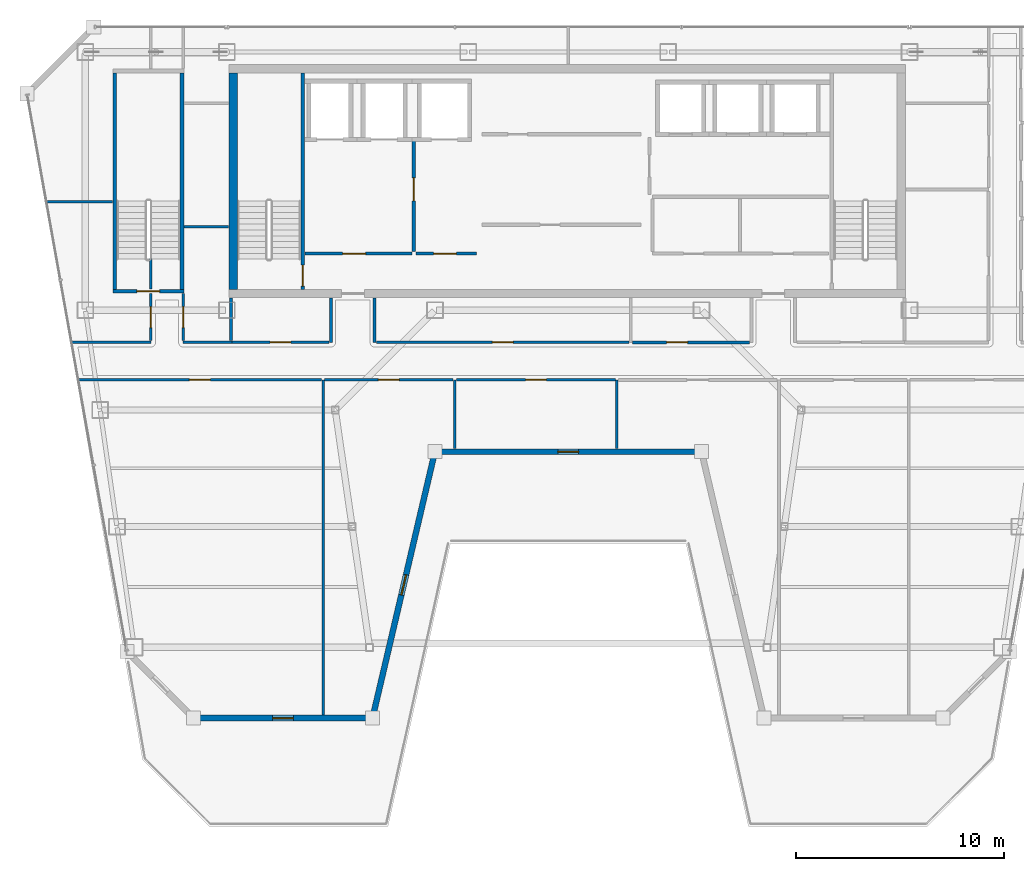
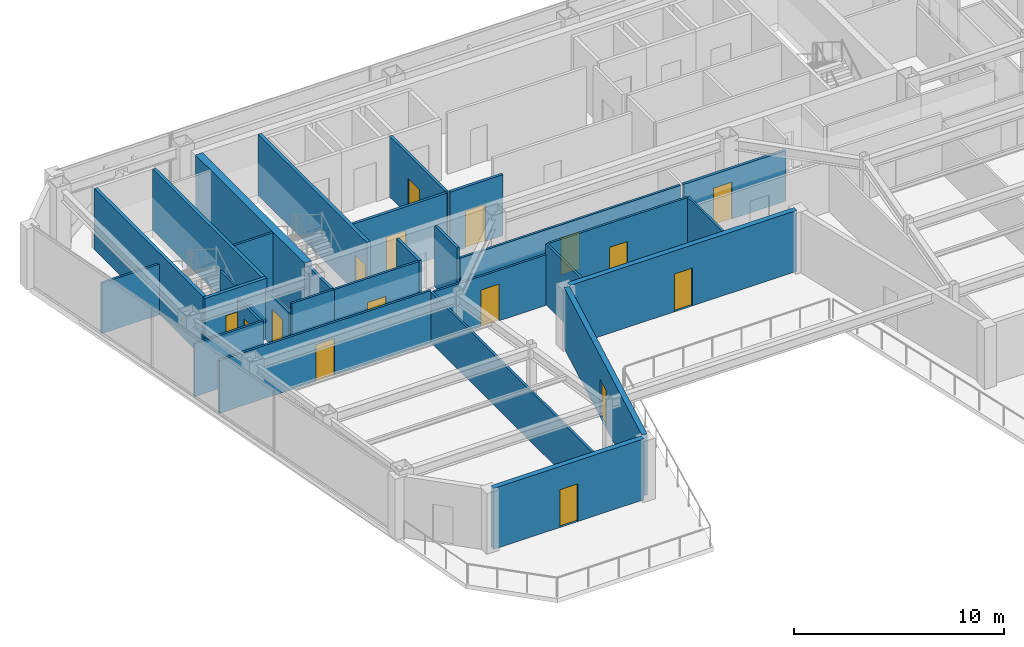
# One storey, part 20 of 28: 30 walls, 16 doors, 16 openings.
"""IFC4 building model written with IfcOpenShell, lengths in metres."""

from ifc_helpers import new_model, si_unit, direction, frame, frame_2d, origin, place, context, subcontext, project, spatial, rectangle, extrude, material, layer, layer_set, type_object, element, fill, save


model = new_model("IFC4")

# Units and contexts
model_context = context("Model", 3, precision=1e-05, world=origin(), true_north=direction((0.0, 1.0)))
body_context = subcontext(model_context, "Body", "Model", "MODEL_VIEW")
ifc_project = project(units=[si_unit("LENGTHUNIT", "METRE"), si_unit("AREAUNIT", "SQUARE_METRE"), si_unit("VOLUMEUNIT", "CUBIC_METRE"), si_unit("PLANEANGLEUNIT", "RADIAN"), si_unit("MASSUNIT", "GRAM", prefix="KILO")], contexts=[model_context])

# Site, building, storey
site_placement = place(None, origin())
site = spatial("IfcSite", under=ifc_project, at=site_placement, CompositionType="ELEMENT")
building_placement = place(site_placement, origin())
building = spatial("IfcBuilding", under=site, at=building_placement, Name="Saevonmaru Cultural Tower", CompositionType="ELEMENT")
storey_placement = place(building_placement, frame((0.0, 0.0, 253.39990234375)))
storey = spatial("IfcBuildingStorey", under=building, at=storey_placement, Name="L59", CompositionType="ELEMENT", Elevation=253.39990234375)

# Wall
ifc_material_1 = material(Name="Concrete C50/60", Category="concrete")
ifc_layer_1 = layer(ifc_material_1, 0.39990234375, Name="Concrete C50/60")
ifc_layer_set_1 = layer_set([ifc_layer_1], Name="Concrete C50/60")
wall_type_1 = type_object("IfcWallType", Name="WL-CORE-400", PredefinedType="SHEAR", material=ifc_layer_set_1)
wall_1_placement = place(storey_placement, frame((13.89990234375, 43.39990234375, 0.0), z_axis=(0.0, 0.0, 1.0), x_axis=(0.0, 1.0, 0.0)))
element("IfcWall", 1, at=wall_1_placement, inside=storey, type_object=wall_type_1, Name="L59 Tower RC core shear wall W", PredefinedType="SHEAR", context=body_context, shape_type="SweptSolid", body=[
    extrude(rectangle(XDim=10.400146484375, YDim=0.39990234375, at=frame_2d((5.2001953125, 0.0))), origin(), (0.0, 0.0, 1.0), 3.550048828125),
])

# Wall, opening, door
ifc_material_2 = material(Name="Gypsum Fireboard Partition", Category="gypsum")
ifc_layer_2 = layer(ifc_material_2, 0.14990234375, Name="Gypsum Fireboard Partition")
ifc_layer_set_2 = layer_set([ifc_layer_2], Name="Gypsum Fireboard Partition")
wall_type_2 = type_object("IfcWallType", Name="WL-CORE-PART-150", PredefinedType="PARTITIONING", material=ifc_layer_set_2)
wall_2_placement = place(storey_placement, frame((17.360107421875, 45.1201171875, 0.0), z_axis=(0.0, 0.0, 1.0), x_axis=(1.0, 0.0, 0.0)))
wall_2 = element("IfcWall", 2, at=wall_2_placement, inside=storey, type_object=wall_type_2, Name="L59 Firefighting Lift Lobby South Wall", PredefinedType="PARTITIONING", context=body_context, shape_type="SweptSolid", body=[
    extrude(rectangle(XDim=5.139892578125, YDim=0.14990234375, at=frame_2d((2.56982421875, 0.0))), origin(), (0.0, 0.0, 1.0), 3.550048828125),
])
opening_1_placement = place(wall_2_placement, frame((1.800048828125, 0.0, 0.0)))
opening_1 = element("IfcOpeningElement", 3, at=opening_1_placement, cuts=wall_2, Name="Opening FD-2", PredefinedType="OPENING", context=body_context, shape_type="SweptSolid", body=[
    extrude(rectangle(XDim=1.10009765625, YDim=2.14990234375, at=frame_2d((0.550048828125, 1.074951171875))), frame((0.0, 0.0849609375, 0.0), z_axis=(0.0, -1.0, 0.0), x_axis=(1.0, 0.0, 0.0)), (0.0, 0.0, 1.0), 0.169921875),
])
ifc_material_3 = material(Name="Satin Bronze Anodised Aluminium", Category="aluminium")
door_type_1 = type_object("IfcDoorType", Name="DR-FD60-1100", OperationType="SINGLE_SWING_LEFT", PredefinedType="DOOR", material=ifc_material_3)
door_1_placement = place(opening_1_placement, origin())
door_1 = element("IfcDoor", 4, at=door_1_placement, inside=storey, type_object=door_type_1, Name="L59 Firefighting Lift Lobby South Door", OperationType="SINGLE_SWING_LEFT", OverallHeight=2.14990234375, OverallWidth=1.10009765625, PredefinedType="DOOR", context=body_context, shape_type="SweptSolid", body=[
    extrude(rectangle(XDim=1.10009765625, YDim=2.14990234375, at=frame_2d((0.550048828125, 1.074951171875))), frame((0.0, 0.02490234375, 0.0), z_axis=(0.0, -1.0, 0.0), x_axis=(1.0, 0.0, 0.0)), (0.0, 0.0, 1.0), 0.050048828125),
])
fill(opening_1, door_1)

wall_3_placement = place(storey_placement, frame((22.580078125, 50.550048828125, 0.0), z_axis=(0.0, 0.0, 1.0), x_axis=(0.0, -1.0, 0.0)))
wall_3 = element("IfcWall", 5, at=wall_3_placement, inside=storey, type_object=wall_type_2, Name="L59 Firefighting Lift Lobby East Wall", PredefinedType="PARTITIONING", context=body_context, shape_type="SweptSolid", body=[
    extrude(rectangle(XDim=5.330078125, YDim=0.14990234375, at=frame_2d((2.6650390625, 0.0))), origin(), (0.0, 0.0, 1.0), 3.550048828125),
])
opening_2_placement = place(wall_3_placement, frame((1.800048828125, 0.0, 0.0)))
opening_2 = element("IfcOpeningElement", 6, at=opening_2_placement, cuts=wall_3, Name="Opening FD-2", PredefinedType="OPENING", context=body_context, shape_type="SweptSolid", body=[
    extrude(rectangle(XDim=1.10009765625, YDim=2.14990234375, at=frame_2d((0.550048828125, 1.074951171875))), frame((0.0, 0.0849609375, 0.0), z_axis=(0.0, -1.0, 0.0), x_axis=(1.0, 0.0, 0.0)), (0.0, 0.0, 1.0), 0.169921875),
])
door_2_placement = place(opening_2_placement, origin())
door_2 = element("IfcDoor", 7, at=door_2_placement, inside=storey, type_object=door_type_1, Name="L59 Firefighting Lift Lobby East Door", OperationType="SINGLE_SWING_LEFT", OverallHeight=2.14990234375, OverallWidth=1.10009765625, PredefinedType="DOOR", context=body_context, shape_type="SweptSolid", body=[
    extrude(rectangle(XDim=1.10009765625, YDim=2.14990234375, at=frame_2d((0.550048828125, 1.074951171875))), frame((0.0, 0.02490234375, 0.0), z_axis=(0.0, -1.0, 0.0), x_axis=(1.0, 0.0, 0.0)), (0.0, 0.0, 1.0), 0.050048828125),
])
fill(opening_2, door_2)

wall_4_placement = place(storey_placement, frame((22.679931640625, 45.1201171875, 0.0), z_axis=(0.0, 0.0, 1.0), x_axis=(1.0, 0.0, 0.0)))
wall_4 = element("IfcWall", 8, at=wall_4_placement, inside=storey, type_object=wall_type_2, Name="L59 Service Lift Vestibule Wall", PredefinedType="PARTITIONING", context=body_context, shape_type="SweptSolid", body=[
    extrude(rectangle(XDim=2.920166015625, YDim=0.14990234375, at=frame_2d((1.4599609375, 0.0))), origin(), (0.0, 0.0, 1.0), 3.550048828125),
])
opening_3_placement = place(wall_4_placement, frame((0.85009765625, 0.0, 0.0)))
opening_3 = element("IfcOpeningElement", 9, at=opening_3_placement, cuts=wall_4, Name="Opening FD-2", PredefinedType="OPENING", context=body_context, shape_type="SweptSolid", body=[
    extrude(rectangle(XDim=1.10009765625, YDim=2.14990234375, at=frame_2d((0.550048828125, 1.074951171875))), frame((0.0, 0.0849609375, 0.0), z_axis=(0.0, -1.0, 0.0), x_axis=(1.0, 0.0, 0.0)), (0.0, 0.0, 1.0), 0.169921875),
])
door_3_placement = place(opening_3_placement, origin())
door_3 = element("IfcDoor", 10, at=door_3_placement, inside=storey, type_object=door_type_1, Name="L59 Service Lift Vestibule Door", OperationType="SINGLE_SWING_LEFT", OverallHeight=2.14990234375, OverallWidth=1.10009765625, PredefinedType="DOOR", context=body_context, shape_type="SweptSolid", body=[
    extrude(rectangle(XDim=1.10009765625, YDim=2.14990234375, at=frame_2d((0.550048828125, 1.074951171875))), frame((0.0, 0.02490234375, 0.0), z_axis=(0.0, -1.0, 0.0), x_axis=(1.0, 0.0, 0.0)), (0.0, 0.0, 1.0), 0.050048828125),
])
fill(opening_3, door_3)

ifc_material_4 = material(Name="Granite-Clad Precast Concrete C40/50", Category="masonry")
ifc_layer_3 = layer(ifc_material_4, 0.280029296875, Name="Granite-Clad Precast Concrete C40/50")
ifc_layer_set_3 = layer_set([ifc_layer_3], Name="Granite-Clad Precast Concrete C40/50")
wall_type_3 = type_object("IfcWallType", Name="WL-EXT-SPANDREL-280", PredefinedType="STANDARD", material=ifc_layer_set_3)
wall_5_placement = place(storey_placement, frame((12.155517578125, 22.800048828125, 0.0), z_axis=(0.0, 0.0, 1.0), x_axis=(1.0, 0.0, 0.0)))
wall_5 = element("IfcWall", 11, at=wall_5_placement, inside=storey, type_object=wall_type_3, Name="L59 Setback Terrace Portal Wall E2", PredefinedType="STANDARD", context=body_context, shape_type="SweptSolid", body=[
    extrude(rectangle(XDim=8.280029296875, YDim=0.280029296875, at=frame_2d((4.14013671875, 0.0))), origin(), (0.0, 0.0, 1.0), 3.550048828125),
])
opening_4_placement = place(wall_5_placement, frame((3.639892578125, 0.0, 0.0)))
opening_4 = element("IfcOpeningElement", 12, at=opening_4_placement, cuts=wall_5, Name="Opening TD-2", PredefinedType="OPENING", context=body_context, shape_type="SweptSolid", body=[
    extrude(rectangle(XDim=1.0, YDim=2.199951171875, at=frame_2d((0.5, 1.10009765625))), frame((0.0, 0.14990234375, 0.0), z_axis=(0.0, -1.0, 0.0), x_axis=(1.0, 0.0, 0.0)), (0.0, 0.0, 1.0), 0.300048828125),
])
door_type_2 = type_object("IfcDoorType", Name="DR-TERR-1000", OperationType="SINGLE_SWING_RIGHT", PredefinedType="DOOR", material=ifc_material_3)
door_4_placement = place(opening_4_placement, origin())
door_4 = element("IfcDoor", 13, at=door_4_placement, inside=storey, type_object=door_type_2, Name="L59 Sawtooth Roof Terrace Door E2", OperationType="SINGLE_SWING_LEFT", OverallHeight=2.199951171875, OverallWidth=1.0, PredefinedType="DOOR", context=body_context, shape_type="SweptSolid", body=[
    extrude(rectangle(XDim=1.0, YDim=2.199951171875, at=frame_2d((0.5, 1.10009765625))), frame((0.0, 0.02490234375, 0.0), z_axis=(0.0, -1.0, 0.0), x_axis=(1.0, 0.0, 0.0)), (0.0, 0.0, 1.0), 0.050048828125),
])
fill(opening_4, door_4)

wall_6_placement = place(storey_placement, frame((20.632080078125, 22.955810546875, 0.0), z_axis=(0.0, 0.0, 1.0), x_axis=(0.22819583345, 0.973615253371, 0.0)))
wall_6 = element("IfcWall", 14, at=wall_6_placement, inside=storey, type_object=wall_type_3, Name="L59 Setback Terrace Portal Wall E3", PredefinedType="STANDARD", context=body_context, shape_type="SweptSolid", body=[
    extrude(rectangle(XDim=12.82666015625, YDim=0.280029296875, at=frame_2d((6.413330078125, 0.0))), origin(), (0.0, 0.0, 1.0), 3.550048828125),
])
opening_5_placement = place(wall_6_placement, frame((5.9130859375, 0.0, 0.0)))
opening_5 = element("IfcOpeningElement", 15, at=opening_5_placement, cuts=wall_6, Name="Opening TD-2", PredefinedType="OPENING", context=body_context, shape_type="SweptSolid", body=[
    extrude(rectangle(XDim=1.0, YDim=2.199951171875, at=frame_2d((0.5, 1.10009765625))), frame((0.0, 0.14990234375, 0.0), z_axis=(0.0, -1.0, 0.0), x_axis=(1.0, 0.0, 0.0)), (0.0, 0.0, 1.0), 0.300048828125),
])
door_5_placement = place(opening_5_placement, origin())
door_5 = element("IfcDoor", 16, at=door_5_placement, inside=storey, type_object=door_type_2, Name="L59 Sawtooth Roof Terrace Door E3", OperationType="SINGLE_SWING_RIGHT", OverallHeight=2.199951171875, OverallWidth=1.0, PredefinedType="DOOR", context=body_context, shape_type="SweptSolid", body=[
    extrude(rectangle(XDim=1.0, YDim=2.199951171875, at=frame_2d((0.5, 1.10009765625))), frame((0.0, 0.02490234375, 0.0), z_axis=(0.0, -1.0, 0.0), x_axis=(1.0, 0.0, 0.0)), (0.0, 0.0, 1.0), 0.050048828125),
])
fill(opening_5, door_5)

wall_7_placement = place(storey_placement, frame((23.755615234375, 35.60009765625, 0.0), z_axis=(0.0, 0.0, 1.0), x_axis=(1.0, 0.0, 0.0)))
wall_7 = element("IfcWall", 17, at=wall_7_placement, inside=storey, type_object=wall_type_3, Name="L59 Setback Terrace Portal Wall E4", PredefinedType="STANDARD", context=body_context, shape_type="SweptSolid", body=[
    extrude(rectangle(XDim=12.48876953125, YDim=0.280029296875, at=frame_2d((6.244384765625, 0.0))), origin(), (0.0, 0.0, 1.0), 3.550048828125),
])
opening_6_placement = place(wall_7_placement, frame((5.743896484375, 0.0, 0.0)))
opening_6 = element("IfcOpeningElement", 18, at=opening_6_placement, cuts=wall_7, Name="Opening TD-2", PredefinedType="OPENING", context=body_context, shape_type="SweptSolid", body=[
    extrude(rectangle(XDim=1.0, YDim=2.199951171875, at=frame_2d((0.5, 1.10009765625))), frame((0.0, 0.14990234375, 0.0), z_axis=(0.0, -1.0, 0.0), x_axis=(1.0, 0.0, 0.0)), (0.0, 0.0, 1.0), 0.300048828125),
])
door_6_placement = place(opening_6_placement, origin())
door_6 = element("IfcDoor", 19, at=door_6_placement, inside=storey, type_object=door_type_2, Name="L59 Sawtooth Roof Terrace Door E4", OperationType="SINGLE_SWING_LEFT", OverallHeight=2.199951171875, OverallWidth=1.0, PredefinedType="DOOR", context=body_context, shape_type="SweptSolid", body=[
    extrude(rectangle(XDim=1.0, YDim=2.199951171875, at=frame_2d((0.5, 1.10009765625))), frame((0.0, 0.02490234375, 0.0), z_axis=(0.0, -1.0, 0.0), x_axis=(1.0, 0.0, 0.0)), (0.0, 0.0, 1.0), 0.050048828125),
])
fill(opening_6, door_6)

# Walls
ifc_layer_4 = layer(ifc_material_2, 0.14990234375, Name="Gypsum Fireboard Partition")
ifc_layer_set_4 = layer_set([ifc_layer_4], Name="Gypsum Fireboard Partition")
wall_type_4 = type_object("IfcWallType", Name="WL-PART-FIRE-150", PredefinedType="PARTITIONING", material=ifc_layer_set_4)
wall_8_placement = place(storey_placement, frame((13.800048828125, 40.929931640625, 0.0), z_axis=(0.0, 0.0, 1.0), x_axis=(0.0, 1.0, 0.0)))
element("IfcWall", 20, at=wall_8_placement, inside=storey, type_object=wall_type_4, Name="L59 Core Portal Side Wall W0", PredefinedType="PARTITIONING", context=body_context, shape_type="SweptSolid", body=[
    extrude(rectangle(XDim=2.050048828125, YDim=0.14990234375, at=frame_2d((1.02490234375, 0.0))), origin(), (0.0, 0.0, 1.0), 3.550048828125),
])
for number, where, z_axis, x_axis, name in (
    (21, (18.60009765625, 40.85009765625, 0.0), (0.0, 0.0, 1.0), (0.0, 1.0, 0.0), "L59 Core Portal Side Wall W1"),
    (22, (20.699951171875, 40.85009765625, 0.0), (0.0, 0.0, 1.0), (0.0, 1.0, 0.0), "L59 Core Portal Side Wall W2"),
):
    element("IfcWall", number, at=place(storey_placement, frame(where, z_axis=z_axis, x_axis=x_axis)), inside=storey, type_object=wall_type_4, Name=name, PredefinedType="PARTITIONING", context=body_context, shape_type="SweptSolid", body=[
        extrude(rectangle(XDim=2.1298828125, YDim=0.14990234375, at=frame_2d((1.06494140625, 0.0))), origin(), (0.0, 0.0, 1.0), 3.550048828125),
    ])

# Wall, opening, door
wall_9_placement = place(storey_placement, frame((33.080078125, 40.85009765625, 0.0), z_axis=(0.0, 0.0, 1.0), x_axis=(1.0, 0.0, 0.0)))
wall_9 = element("IfcWall", 23, at=wall_9_placement, inside=storey, type_object=wall_type_4, Name="L59 Acoustic Chamber Auditorium Corridor Wall", PredefinedType="PARTITIONING", context=body_context, shape_type="SweptSolid", body=[
    extrude(rectangle(XDim=5.625, YDim=0.14990234375, at=frame_2d((2.8125, 0.0))), origin(), (0.0, 0.0, 1.0), 2.947021484375),
])
opening_7_placement = place(wall_9_placement, frame((1.652099609375, 0.0, 0.0)))
opening_7 = element("IfcOpeningElement", 24, at=opening_7_placement, cuts=wall_9, Name="Opening ID-1B", PredefinedType="OPENING", context=body_context, shape_type="SweptSolid", body=[
    extrude(rectangle(XDim=1.0, YDim=2.14990234375, at=frame_2d((0.5, 1.074951171875))), frame((0.0, 0.0849609375, 0.0), z_axis=(0.0, -1.0, 0.0), x_axis=(1.0, 0.0, 0.0)), (0.0, 0.0, 1.0), 0.169921875),
])
ifc_material_5 = material(Name="Acoustic Stained Oak Timber", Category="wood")
door_type_3 = type_object("IfcDoorType", Name="DR-INT-1000", OperationType="SINGLE_SWING_RIGHT", PredefinedType="DOOR", material=ifc_material_5)
door_7_placement = place(opening_7_placement, origin())
door_7 = element("IfcDoor", 25, at=door_7_placement, inside=storey, type_object=door_type_3, Name="L59 Acoustic Chamber Auditorium Door", OperationType="SINGLE_SWING_RIGHT", OverallHeight=2.14990234375, OverallWidth=1.0, PredefinedType="DOOR", context=body_context, shape_type="SweptSolid", body=[
    extrude(rectangle(XDim=1.0, YDim=2.14990234375, at=frame_2d((0.5, 1.074951171875))), frame((0.0, 0.02490234375, 0.0), z_axis=(0.0, -1.0, 0.0), x_axis=(1.0, 0.0, 0.0)), (0.0, 0.0, 1.0), 0.050048828125),
])
fill(opening_7, door_7)

# Walls
ifc_layer_5 = layer(ifc_material_2, 0.1201171875, Name="Gypsum Fireboard Partition")
ifc_layer_set_5 = layer_set([ifc_layer_5], Name="Gypsum Fireboard Partition")
wall_type_5 = type_object("IfcWallType", Name="WL-PART-GYP-120", PredefinedType="PARTITIONING", material=ifc_layer_set_5)
wall_10_placement = place(storey_placement, frame((6.143310546875, 40.85009765625, 0.0), z_axis=(0.0, 0.0, 1.0), x_axis=(1.0, 0.0, 0.0)))
element("IfcWall", 26, at=wall_10_placement, inside=storey, type_object=wall_type_5, Name="L59 NW Wing South Wall", PredefinedType="PARTITIONING", context=body_context, shape_type="SweptSolid", body=[
    extrude(rectangle(XDim=3.806640625, YDim=0.1201171875, at=frame_2d((1.9033203125, 0.0))), origin(), (0.0, 0.0, 1.0), 3.085205078125),
])
wall_11_placement = place(storey_placement, frame((11.5, 40.85009765625, 0.0), z_axis=(0.0, 0.0, 1.0), x_axis=(1.0, 0.0, 0.0)))
element("IfcWall", 27, at=wall_11_placement, inside=storey, type_object=wall_type_5, Name="L59 NW Inner South Wall", PredefinedType="PARTITIONING", context=body_context, shape_type="SweptSolid", body=[
    extrude(rectangle(XDim=2.35009765625, YDim=0.1201171875, at=frame_2d((1.175048828125, 0.0))), origin(), (0.0, 0.0, 1.0), 3.550048828125),
])
wall_12_placement = place(storey_placement, frame((4.935546875, 47.60009765625, 0.0), z_axis=(0.0, 0.0, 1.0), x_axis=(1.0, 0.0, 0.0)))
element("IfcWall", 28, at=wall_12_placement, inside=storey, type_object=wall_type_5, Name="L59 NW Studio Divider 1", PredefinedType="PARTITIONING", context=body_context, shape_type="SweptSolid", body=[
    extrude(rectangle(XDim=3.16455078125, YDim=0.1201171875, at=frame_2d((1.582275390625, 0.0))), origin(), (0.0, 0.0, 1.0), 2.947021484375),
])

# Wall, opening, door
wall_13_placement = place(storey_placement, frame((9.949951171875, 40.929931640625, 0.0), z_axis=(0.0, 0.0, 1.0), x_axis=(0.0, 1.0, 0.0)))
wall_13 = element("IfcWall", 29, at=wall_13_placement, inside=storey, type_object=wall_type_5, Name="L59 Museum Espresso Cafe Corridor Wall", PredefinedType="PARTITIONING", context=body_context, shape_type="SweptSolid", body=[
    extrude(rectangle(XDim=2.27001953125, YDim=0.1201171875, at=frame_2d((1.135009765625, 0.0))), origin(), (0.0, 0.0, 1.0), 2.947021484375),
])
opening_8_placement = place(wall_13_placement, frame((0.635009765625, 0.0, 0.0)))
opening_8 = element("IfcOpeningElement", 30, at=opening_8_placement, cuts=wall_13, Name="Opening ID-1B", PredefinedType="OPENING", context=body_context, shape_type="SweptSolid", body=[
    extrude(rectangle(XDim=1.0, YDim=2.14990234375, at=frame_2d((0.5, 1.074951171875))), frame((0.0, 0.070068359375, 0.0), z_axis=(0.0, -1.0, 0.0), x_axis=(1.0, 0.0, 0.0)), (0.0, 0.0, 1.0), 0.14013671875),
])
door_8_placement = place(opening_8_placement, origin())
door_8 = element("IfcDoor", 31, at=door_8_placement, inside=storey, type_object=door_type_3, Name="L59 Museum Espresso Cafe Door", OperationType="SINGLE_SWING_LEFT", OverallHeight=2.14990234375, OverallWidth=1.0, PredefinedType="DOOR", context=body_context, shape_type="SweptSolid", body=[
    extrude(rectangle(XDim=1.0, YDim=2.14990234375, at=frame_2d((0.5, 1.074951171875))), frame((0.0, 0.02490234375, 0.0), z_axis=(0.0, -1.0, 0.0), x_axis=(1.0, 0.0, 0.0)), (0.0, 0.0, 1.0), 0.050048828125),
])
fill(opening_8, door_8)

# Walls
wall_14_placement = place(storey_placement, frame((9.949951171875, 43.419921875, 0.0), z_axis=(0.0, 0.0, 1.0), x_axis=(0.0, 1.0, 0.0)))
element("IfcWall", 32, at=wall_14_placement, inside=storey, type_object=wall_type_5, Name="L59 Museum Espresso Cafe Corridor Wall (2)", PredefinedType="PARTITIONING", context=body_context, shape_type="SweptSolid", body=[
    extrude(rectangle(XDim=1.4501953125, YDim=0.1201171875, at=frame_2d((0.72509765625, 0.0))), origin(), (0.0, 0.0, 1.0), 3.550048828125),
])
wall_15_placement = place(storey_placement, frame((11.550048828125, 46.39990234375, 0.0), z_axis=(0.0, 0.0, 1.0), x_axis=(1.0, 0.0, 0.0)))
element("IfcWall", 33, at=wall_15_placement, inside=storey, type_object=wall_type_5, Name="L59 NW Inner Divider", PredefinedType="PARTITIONING", context=body_context, shape_type="SweptSolid", body=[
    extrude(rectangle(XDim=2.1298828125, YDim=0.1201171875, at=frame_2d((1.06494140625, 0.0))), origin(), (0.0, 0.0, 1.0), 3.550048828125),
])

# Wall, opening, door
wall_16_placement = place(storey_placement, frame((11.5, 40.929931640625, 0.0), z_axis=(0.0, 0.0, 1.0), x_axis=(0.0, 1.0, 0.0)))
wall_16 = element("IfcWall", 34, at=wall_16_placement, inside=storey, type_object=wall_type_5, Name="L59 Panoramic Salon Restaurant Corridor Wall", PredefinedType="PARTITIONING", context=body_context, shape_type="SweptSolid", body=[
    extrude(rectangle(XDim=2.27001953125, YDim=0.1201171875, at=frame_2d((1.135009765625, 0.0))), origin(), (0.0, 0.0, 1.0), 2.947021484375),
])
opening_9_placement = place(wall_16_placement, frame((0.635009765625, 0.0, 0.0)))
opening_9 = element("IfcOpeningElement", 35, at=opening_9_placement, cuts=wall_16, Name="Opening ID-1B", PredefinedType="OPENING", context=body_context, shape_type="SweptSolid", body=[
    extrude(rectangle(XDim=1.0, YDim=2.14990234375, at=frame_2d((0.5, 1.074951171875))), frame((0.0, 0.070068359375, 0.0), z_axis=(0.0, -1.0, 0.0), x_axis=(1.0, 0.0, 0.0)), (0.0, 0.0, 1.0), 0.14013671875),
])
door_9_placement = place(opening_9_placement, origin())
door_9 = element("IfcDoor", 36, at=door_9_placement, inside=storey, type_object=door_type_3, Name="L59 Panoramic Salon Restaurant Door", OperationType="SINGLE_SWING_RIGHT", OverallHeight=2.14990234375, OverallWidth=1.0, PredefinedType="DOOR", context=body_context, shape_type="SweptSolid", body=[
    extrude(rectangle(XDim=1.0, YDim=2.14990234375, at=frame_2d((0.5, 1.074951171875))), frame((0.0, 0.02490234375, 0.0), z_axis=(0.0, -1.0, 0.0), x_axis=(1.0, 0.0, 0.0)), (0.0, 0.0, 1.0), 0.050048828125),
])
fill(opening_9, door_9)

wall_17_placement = place(storey_placement, frame((13.85009765625, 40.85009765625, 0.0), z_axis=(0.0, 0.0, 1.0), x_axis=(1.0, 0.0, 0.0)))
wall_17 = element("IfcWall", 37, at=wall_17_placement, inside=storey, type_object=wall_type_5, Name="L59 Museum Espresso Cafe Corridor Wall", PredefinedType="PARTITIONING", context=body_context, shape_type="SweptSolid", body=[
    extrude(rectangle(XDim=4.65478515625, YDim=0.1201171875, at=frame_2d((2.327392578125, 0.0))), origin(), (0.0, 0.0, 1.0), 3.550048828125),
])
opening_10_placement = place(wall_17_placement, frame((1.826904296875, 0.0, 0.0)))
opening_10 = element("IfcOpeningElement", 38, at=opening_10_placement, cuts=wall_17, Name="Opening ID-1B", PredefinedType="OPENING", context=body_context, shape_type="SweptSolid", body=[
    extrude(rectangle(XDim=1.0, YDim=2.14990234375, at=frame_2d((0.5, 1.074951171875))), frame((0.0, 0.070068359375, 0.0), z_axis=(0.0, -1.0, 0.0), x_axis=(1.0, 0.0, 0.0)), (0.0, 0.0, 1.0), 0.14013671875),
])
door_10_placement = place(opening_10_placement, origin())
door_10 = element("IfcDoor", 39, at=door_10_placement, inside=storey, type_object=door_type_3, Name="L59 Museum Espresso Cafe Door", OperationType="SINGLE_SWING_RIGHT", OverallHeight=2.14990234375, OverallWidth=1.0, PredefinedType="DOOR", context=body_context, shape_type="SweptSolid", body=[
    extrude(rectangle(XDim=1.0, YDim=2.14990234375, at=frame_2d((0.5, 1.074951171875))), frame((0.0, 0.02490234375, 0.0), z_axis=(0.0, -1.0, 0.0), x_axis=(1.0, 0.0, 0.0)), (0.0, 0.0, 1.0), 0.050048828125),
])
fill(opening_10, door_10)

wall_18_placement = place(storey_placement, frame((20.794921875, 40.85009765625, 0.0), z_axis=(0.0, 0.0, 1.0), x_axis=(1.0, 0.0, 0.0)))
wall_18 = element("IfcWall", 40, at=wall_18_placement, inside=storey, type_object=wall_type_5, Name="L59 Museum Espresso Cafe Corridor Wall", PredefinedType="PARTITIONING", context=body_context, shape_type="SweptSolid", body=[
    extrude(rectangle(XDim=12.125, YDim=0.1201171875, at=frame_2d((6.0625, 0.0))), origin(), (0.0, 0.0, 1.0), 2.947021484375),
])
opening_11_placement = place(wall_18_placement, frame((5.56201171875, 0.0, 0.0)))
opening_11 = element("IfcOpeningElement", 41, at=opening_11_placement, cuts=wall_18, Name="Opening ID-1B", PredefinedType="OPENING", context=body_context, shape_type="SweptSolid", body=[
    extrude(rectangle(XDim=1.0, YDim=2.14990234375, at=frame_2d((0.5, 1.074951171875))), frame((0.0, 0.070068359375, 0.0), z_axis=(0.0, -1.0, 0.0), x_axis=(1.0, 0.0, 0.0)), (0.0, 0.0, 1.0), 0.14013671875),
])
door_11_placement = place(opening_11_placement, origin())
door_11 = element("IfcDoor", 42, at=door_11_placement, inside=storey, type_object=door_type_3, Name="L59 Museum Espresso Cafe Door", OperationType="SINGLE_SWING_LEFT", OverallHeight=2.14990234375, OverallWidth=1.0, PredefinedType="DOOR", context=body_context, shape_type="SweptSolid", body=[
    extrude(rectangle(XDim=1.0, YDim=2.14990234375, at=frame_2d((0.5, 1.074951171875))), frame((0.0, 0.02490234375, 0.0), z_axis=(0.0, -1.0, 0.0), x_axis=(1.0, 0.0, 0.0)), (0.0, 0.0, 1.0), 0.050048828125),
])
fill(opening_11, door_11)

# Walls
wall_19_placement = place(storey_placement, frame((18.219970703125, 22.9599609375, 0.0), z_axis=(0.0, 0.0, 1.0), x_axis=(0.0, 1.0, 0.0)))
element("IfcWall", 43, at=wall_19_placement, inside=storey, type_object=wall_type_5, Name="L59 Observatory Bay Divider 1", PredefinedType="PARTITIONING", context=body_context, shape_type="SweptSolid", body=[
    extrude(rectangle(XDim=16.090087890625, YDim=0.1201171875, at=frame_2d((8.044921875, 0.0))), origin(), (0.0, 0.0, 1.0), 2.947021484375),
])
wall_20_placement = place(storey_placement, frame((32.340087890625, 35.760009765625, 0.0), z_axis=(0.0, 0.0, 1.0), x_axis=(0.0, 1.0, 0.0)))
element("IfcWall", 44, at=wall_20_placement, inside=storey, type_object=wall_type_5, Name="L59 Observatory Bay Divider 3", PredefinedType="PARTITIONING", context=body_context, shape_type="SweptSolid", body=[
    extrude(rectangle(XDim=3.2900390625, YDim=0.1201171875, at=frame_2d((1.64501953125, 0.0))), origin(), (0.0, 0.0, 1.0), 3.550048828125),
])

# Wall, opening, door
wall_21_placement = place(storey_placement, frame((6.465576171875, 39.050048828125, 0.0), z_axis=(0.0, 0.0, 1.0), x_axis=(1.0, 0.0, 0.0)))
wall_21 = element("IfcWall", 45, at=wall_21_placement, inside=storey, type_object=wall_type_5, Name="L59 Museum Espresso Cafe Corridor Wall", PredefinedType="PARTITIONING", context=body_context, shape_type="SweptSolid", body=[
    extrude(rectangle(XDim=11.67431640625, YDim=0.1201171875, at=frame_2d((5.837158203125, 0.0))), origin(), (0.0, 0.0, 1.0), 3.085205078125),
])
opening_12_placement = place(wall_21_placement, frame((5.3369140625, 0.0, 0.0)))
opening_12 = element("IfcOpeningElement", 46, at=opening_12_placement, cuts=wall_21, Name="Opening ID-1B", PredefinedType="OPENING", context=body_context, shape_type="SweptSolid", body=[
    extrude(rectangle(XDim=1.0, YDim=2.14990234375, at=frame_2d((0.5, 1.074951171875))), frame((0.0, 0.070068359375, 0.0), z_axis=(0.0, -1.0, 0.0), x_axis=(1.0, 0.0, 0.0)), (0.0, 0.0, 1.0), 0.14013671875),
])
door_12_placement = place(opening_12_placement, origin())
door_12 = element("IfcDoor", 47, at=door_12_placement, inside=storey, type_object=door_type_3, Name="L59 Museum Espresso Cafe Door", OperationType="SINGLE_SWING_RIGHT", OverallHeight=2.14990234375, OverallWidth=1.0, PredefinedType="DOOR", context=body_context, shape_type="SweptSolid", body=[
    extrude(rectangle(XDim=1.0, YDim=2.14990234375, at=frame_2d((0.5, 1.074951171875))), frame((0.0, 0.02490234375, 0.0), z_axis=(0.0, -1.0, 0.0), x_axis=(1.0, 0.0, 0.0)), (0.0, 0.0, 1.0), 0.050048828125),
])
fill(opening_12, door_12)

wall_22_placement = place(storey_placement, frame((18.300048828125, 39.050048828125, 0.0), z_axis=(0.0, 0.0, 1.0), x_axis=(1.0, 0.0, 0.0)))
wall_22 = element("IfcWall", 48, at=wall_22_placement, inside=storey, type_object=wall_type_5, Name="L59 Panoramic Salon Restaurant Corridor Wall", PredefinedType="PARTITIONING", context=body_context, shape_type="SweptSolid", body=[
    extrude(rectangle(XDim=6.162353515625, YDim=0.1201171875, at=frame_2d((3.0810546875, 0.0))), origin(), (0.0, 0.0, 1.0), 2.947021484375),
])
opening_13_placement = place(wall_22_placement, frame((2.5810546875, 0.0, 0.0)))
opening_13 = element("IfcOpeningElement", 49, at=opening_13_placement, cuts=wall_22, Name="Opening ID-1B", PredefinedType="OPENING", context=body_context, shape_type="SweptSolid", body=[
    extrude(rectangle(XDim=1.0, YDim=2.14990234375, at=frame_2d((0.5, 1.074951171875))), frame((0.0, 0.070068359375, 0.0), z_axis=(0.0, -1.0, 0.0), x_axis=(1.0, 0.0, 0.0)), (0.0, 0.0, 1.0), 0.14013671875),
])
door_13_placement = place(opening_13_placement, origin())
door_13 = element("IfcDoor", 50, at=door_13_placement, inside=storey, type_object=door_type_3, Name="L59 Panoramic Salon Restaurant Door", OperationType="SINGLE_SWING_LEFT", OverallHeight=2.14990234375, OverallWidth=1.0, PredefinedType="DOOR", context=body_context, shape_type="SweptSolid", body=[
    extrude(rectangle(XDim=1.0, YDim=2.14990234375, at=frame_2d((0.5, 1.074951171875))), frame((0.0, 0.02490234375, 0.0), z_axis=(0.0, -1.0, 0.0), x_axis=(1.0, 0.0, 0.0)), (0.0, 0.0, 1.0), 0.050048828125),
])
fill(opening_13, door_13)

wall_23_placement = place(storey_placement, frame((24.637451171875, 39.050048828125, 0.0), z_axis=(0.0, 0.0, 1.0), x_axis=(1.0, 0.0, 0.0)))
wall_23 = element("IfcWall", 51, at=wall_23_placement, inside=storey, type_object=wall_type_5, Name="L59 Terrace Overlook Cafe Corridor Wall", PredefinedType="PARTITIONING", context=body_context, shape_type="SweptSolid", body=[
    extrude(rectangle(XDim=7.62255859375, YDim=0.1201171875, at=frame_2d((3.811279296875, 0.0))), origin(), (0.0, 0.0, 1.0), 3.550048828125),
])
opening_14_placement = place(wall_23_placement, frame((3.31103515625, 0.0, 0.0)))
opening_14 = element("IfcOpeningElement", 52, at=opening_14_placement, cuts=wall_23, Name="Opening ID-1B", PredefinedType="OPENING", context=body_context, shape_type="SweptSolid", body=[
    extrude(rectangle(XDim=1.0, YDim=2.14990234375, at=frame_2d((0.5, 1.074951171875))), frame((0.0, 0.070068359375, 0.0), z_axis=(0.0, -1.0, 0.0), x_axis=(1.0, 0.0, 0.0)), (0.0, 0.0, 1.0), 0.14013671875),
])
door_14_placement = place(opening_14_placement, origin())
door_14 = element("IfcDoor", 53, at=door_14_placement, inside=storey, type_object=door_type_3, Name="L59 Terrace Overlook Cafe Door", OperationType="SINGLE_SWING_RIGHT", OverallHeight=2.14990234375, OverallWidth=1.0, PredefinedType="DOOR", context=body_context, shape_type="SweptSolid", body=[
    extrude(rectangle(XDim=1.0, YDim=2.14990234375, at=frame_2d((0.5, 1.074951171875))), frame((0.0, 0.02490234375, 0.0), z_axis=(0.0, -1.0, 0.0), x_axis=(1.0, 0.0, 0.0)), (0.0, 0.0, 1.0), 0.050048828125),
])
fill(opening_14, door_14)

# Wall
ifc_layer_6 = layer(ifc_material_2, 0.135009765625, Name="Gypsum Fireboard Partition")
ifc_layer_set_6 = layer_set([ifc_layer_6], Name="Gypsum Fireboard Partition")
wall_type_6 = type_object("IfcWallType", Name="WL-PART-GYP-135", PredefinedType="PARTITIONING", material=ifc_layer_set_6)
wall_24_placement = place(storey_placement, frame((24.550048828125, 35.760009765625, 0.0), z_axis=(0.0, 0.0, 1.0), x_axis=(0.0, 1.0, 0.0)))
element("IfcWall", 54, at=wall_24_placement, inside=storey, type_object=wall_type_6, Name="L59 Observatory Bay Divider 2", PredefinedType="PARTITIONING", context=body_context, shape_type="SweptSolid", body=[
    extrude(rectangle(XDim=3.2900390625, YDim=0.135009765625, at=frame_2d((1.64501953125, 0.0))), origin(), (0.0, 0.0, 1.0), 3.550048828125),
])

# Wall, opening, door
ifc_material_6 = material(Name="Concrete C40/50", Category="concrete")
ifc_layer_7 = layer(ifc_material_6, 0.179931640625, Name="Concrete C40/50")
ifc_layer_set_7 = layer_set([ifc_layer_7], Name="Concrete C40/50")
wall_type_7 = type_object("IfcWallType", Name="WL-STSHAFT-180", PredefinedType="SHEAR", material=ifc_layer_set_7)
wall_25_placement = place(storey_placement, frame((17.239990234375, 43.39990234375, 0.0), z_axis=(0.0, 0.0, 1.0), x_axis=(0.0, 1.0, 0.0)))
wall_25 = element("IfcWall", 55, at=wall_25_placement, inside=storey, type_object=wall_type_7, Name="L59 Stair ST-1 Structural Shaft Wall 1", PredefinedType="SHEAR", context=body_context, shape_type="SweptSolid", body=[
    extrude(rectangle(XDim=10.400146484375, YDim=0.179931640625, at=frame_2d((5.2001953125, 0.0))), origin(), (0.0, 0.0, 1.0), 3.550048828125),
])
opening_15_placement = place(wall_25_placement, frame((0.159912109375, 0.0, 0.0)))
opening_15 = element("IfcOpeningElement", 56, at=opening_15_placement, cuts=wall_25, Name="Opening FD-3", PredefinedType="OPENING", context=body_context, shape_type="SweptSolid", body=[
    extrude(rectangle(XDim=1.0, YDim=2.14990234375, at=frame_2d((0.5, 1.074951171875))), frame((0.0, 0.10009765625, 0.0), z_axis=(0.0, -1.0, 0.0), x_axis=(1.0, 0.0, 0.0)), (0.0, 0.0, 1.0), 0.199951171875),
])
door_type_4 = type_object("IfcDoorType", Name="DR-FD60-1000", OperationType="SINGLE_SWING_RIGHT", PredefinedType="DOOR", material=ifc_material_3)
door_15_placement = place(opening_15_placement, origin())
door_15 = element("IfcDoor", 57, at=door_15_placement, inside=storey, type_object=door_type_4, Name="L59 Protected Stair ST-1 Fire Door", OperationType="SINGLE_SWING_RIGHT", OverallHeight=2.14990234375, OverallWidth=1.0, PredefinedType="DOOR", context=body_context, shape_type="SweptSolid", body=[
    extrude(rectangle(XDim=1.0, YDim=2.14990234375, at=frame_2d((0.5, 1.074951171875))), frame((0.0, 0.02490234375, 0.0), z_axis=(0.0, -1.0, 0.0), x_axis=(1.0, 0.0, 0.0)), (0.0, 0.0, 1.0), 0.050048828125),
])
fill(opening_15, door_15)

wall_26_placement = place(storey_placement, frame((8.1201171875, 43.31005859375, 0.0), z_axis=(0.0, 0.0, 1.0), x_axis=(1.0, 0.0, 0.0)))
wall_26 = element("IfcWall", 58, at=wall_26_placement, inside=storey, type_object=wall_type_7, Name="L59 Stair ST-3 Structural Shaft Wall 1", PredefinedType="SHEAR", context=body_context, shape_type="SweptSolid", body=[
    extrude(rectangle(XDim=3.409912109375, YDim=0.179931640625, at=frame_2d((1.705078125, 0.0))), origin(), (0.0, 0.0, 1.0), 3.550048828125),
])
opening_16_placement = place(wall_26_placement, frame((1.14990234375, 0.0, 0.0)))
opening_16 = element("IfcOpeningElement", 59, at=opening_16_placement, cuts=wall_26, Name="Opening FD-2", PredefinedType="OPENING", context=body_context, shape_type="SweptSolid", body=[
    extrude(rectangle(XDim=1.10009765625, YDim=2.14990234375, at=frame_2d((0.550048828125, 1.074951171875))), frame((0.0, 0.10009765625, 0.0), z_axis=(0.0, -1.0, 0.0), x_axis=(1.0, 0.0, 0.0)), (0.0, 0.0, 1.0), 0.199951171875),
])
door_16_placement = place(opening_16_placement, origin())
door_16 = element("IfcDoor", 60, at=door_16_placement, inside=storey, type_object=door_type_1, Name="L59 Protected Stair ST-3 Fire Door", OperationType="SINGLE_SWING_LEFT", OverallHeight=2.14990234375, OverallWidth=1.10009765625, PredefinedType="DOOR", context=body_context, shape_type="SweptSolid", body=[
    extrude(rectangle(XDim=1.10009765625, YDim=2.14990234375, at=frame_2d((0.550048828125, 1.074951171875))), frame((0.0, 0.02490234375, 0.0), z_axis=(0.0, -1.0, 0.0), x_axis=(1.0, 0.0, 0.0)), (0.0, 0.0, 1.0), 0.050048828125),
])
fill(opening_16, door_16)

# Walls
for number, where, z_axis, x_axis, name in (
    (61, (11.43994140625, 43.39990234375, 0.0), (0.0, 0.0, 1.0), (0.0, 1.0, 0.0), "L59 Stair ST-3 Structural Shaft Wall 2"),
    (62, (8.2099609375, 53.800048828125, 0.0), (0.0, 0.0, 1.0), (0.0, -1.0, 0.0), "L59 Stair ST-3 Structural Shaft Wall 4"),
):
    element("IfcWall", number, at=place(storey_placement, frame(where, z_axis=z_axis, x_axis=x_axis)), inside=storey, type_object=wall_type_7, Name=name, PredefinedType="SHEAR", context=body_context, shape_type="SweptSolid", body=[
        extrude(rectangle(XDim=10.400146484375, YDim=0.179931640625, at=frame_2d((5.2001953125, 0.0))), origin(), (0.0, 0.0, 1.0), 3.550048828125),
    ])

save(model, "model.ifc")
